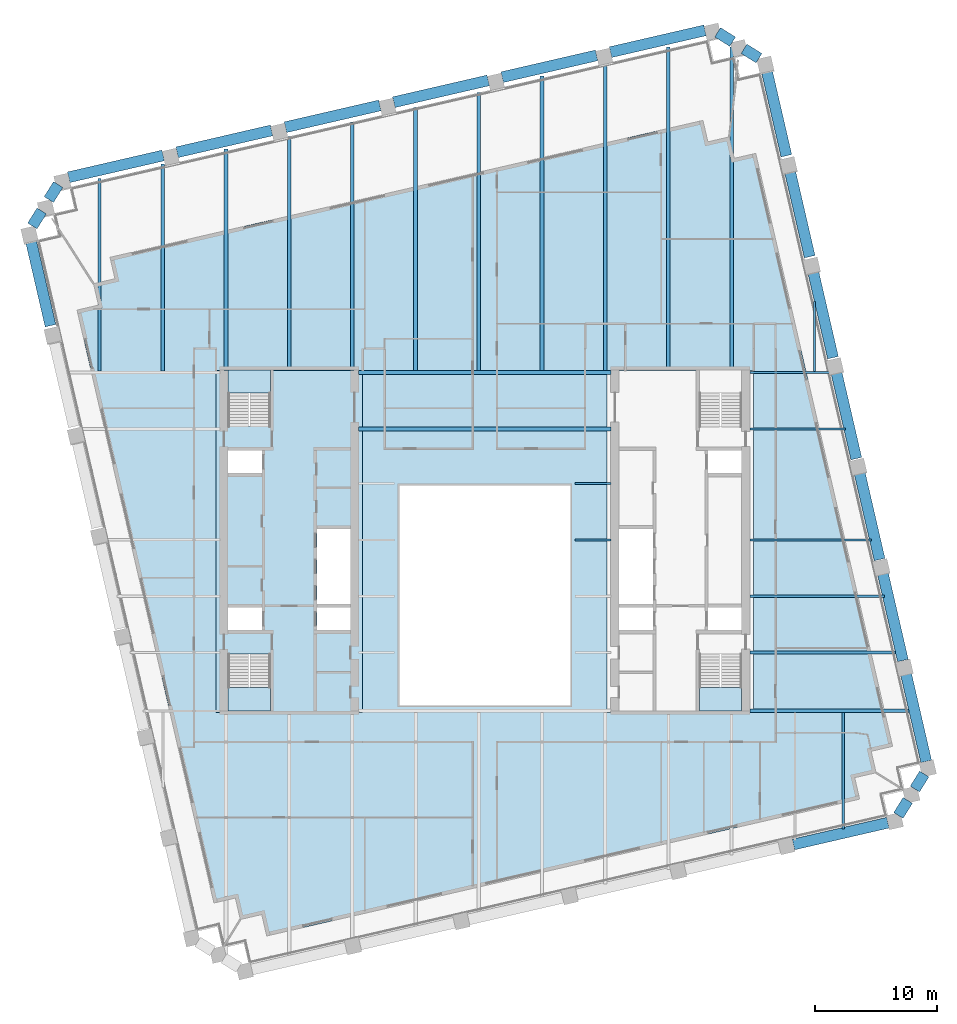
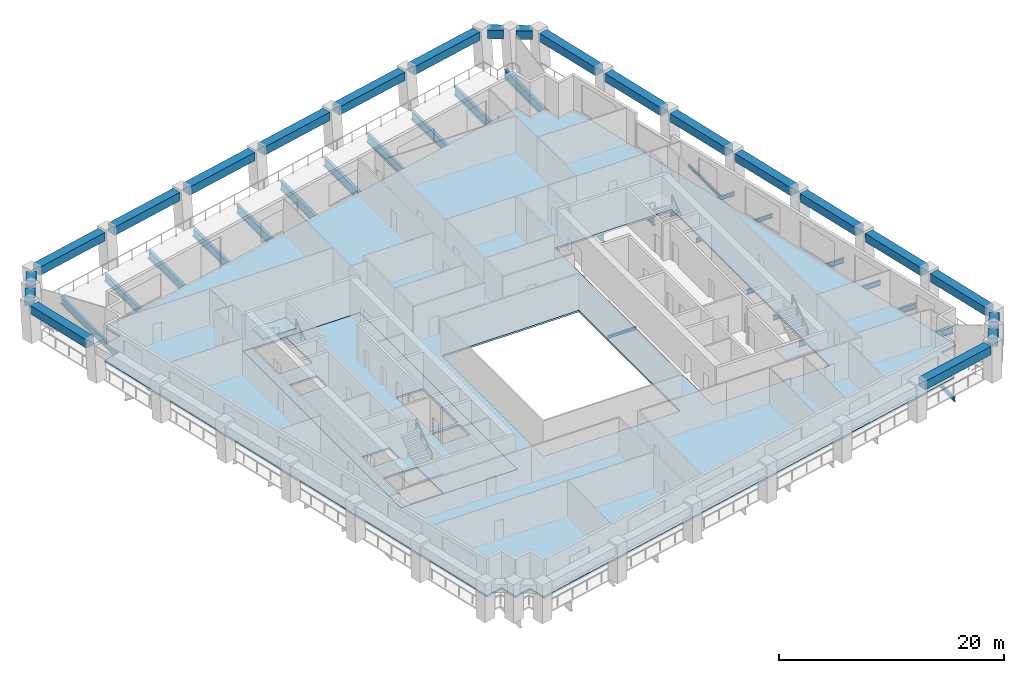
# One storey, part 2 of 11: 44 beams, 5 slabs, 3 elements without a shape of their own.
"""IFC4 building model written with IfcOpenShell, lengths in metres."""

from ifc_helpers import new_model, si_unit, direction, frame, origin, origin_2d, place, context, subcontext, project, spatial, polyline, rectangle, i_section, outline, extrude, material, layer, layer_set, material_profile, profile_set, type_object, element, aggregate, save


model = new_model("IFC4")

# Units and contexts
model_context = context("Model", 3, precision=1e-05, world=origin(), true_north=direction((0.0, 1.0)))
body_context = subcontext(model_context, "Body", "Model", "MODEL_VIEW")
ifc_project = project(units=[si_unit("LENGTHUNIT", "METRE"), si_unit("AREAUNIT", "SQUARE_METRE"), si_unit("VOLUMEUNIT", "CUBIC_METRE"), si_unit("PLANEANGLEUNIT", "RADIAN"), si_unit("MASSUNIT", "GRAM", prefix="KILO")], contexts=[model_context])

# Site, building, storey
site_placement = place(None, origin())
site = spatial("IfcSite", under=ifc_project, at=site_placement, CompositionType="ELEMENT")
building_placement = place(site_placement, origin())
building = spatial("IfcBuilding", under=site, at=building_placement, Name="Ogive Exchange Tower", CompositionType="ELEMENT")
storey_placement = place(building_placement, frame((0.0, 0.0, 217.800048828125)))
storey = spatial("IfcBuildingStorey", under=building, at=storey_placement, Name="L48", CompositionType="ELEMENT", Elevation=217.800048828125)

# Beams
ifc_material_1 = material(Name="Steel ASTM A992 Gr50", Category="steel")
ifc_material_profile_1 = material_profile(ifc_material_1, i_section(OverallWidth=0.300048828125, OverallDepth=0.969970703125, WebThickness=0.01611328125, FlangeThickness=0.02099609375, at=origin_2d()), Name="W1000x222")
ifc_profile_set_1 = profile_set([ifc_material_profile_1], Name="Steel ASTM A992 Gr50")
beam_type_1 = type_object("IfcBeamType", Name="Floor beam W1000x222", PredefinedType="JOIST", material=ifc_profile_set_1)
beam_1_placement = place(storey_placement, frame((-10.837158203125, 25.39990234375, -0.68505859375), z_axis=(0.0, 1.0, 0.0), x_axis=(-1.0, 0.0, 0.0)))
element("IfcBeam", 1, at=beam_1_placement, inside=storey, type_object=beam_type_1, Name="Floor beam", PredefinedType="JOIST", context=body_context, shape_type="SweptSolid", body=[
    extrude(i_section(OverallWidth=0.300048828125, OverallDepth=0.969970703125, WebThickness=0.01611328125, FlangeThickness=0.02099609375, at=origin_2d()), origin(), (0.0, 0.0, 1.0), 20.35107421875),
])
ifc_material_profile_2 = material_profile(ifc_material_1, i_section(OverallWidth=0.300048828125, OverallDepth=0.97998046875, WebThickness=0.0166015625, FlangeThickness=0.026123046875, at=origin_2d()), Name="W1000x249")
ifc_profile_set_2 = profile_set([ifc_material_profile_2], Name="Steel ASTM A992 Gr50")
beam_type_2 = type_object("IfcBeamType", Name="Floor beam W1000x249", PredefinedType="JOIST", material=ifc_profile_set_2)
beam_2_placement = place(storey_placement, frame((-10.320068359375, 20.62255859375, -0.68994140625), z_axis=(1.0, 0.0, 0.0), x_axis=(0.0, 1.0, 0.0)))
element("IfcBeam", 2, at=beam_2_placement, inside=storey, type_object=beam_type_2, Name="Floor beam", PredefinedType="JOIST", context=body_context, shape_type="SweptSolid", body=[
    extrude(i_section(OverallWidth=0.300048828125, OverallDepth=0.97998046875, WebThickness=0.0166015625, FlangeThickness=0.026123046875, at=origin_2d()), origin(), (0.0, 0.0, 1.0), 20.64013671875),
])
beam_3_placement = place(storey_placement, frame((-5.665283203125, 25.39501953125, -0.68994140625), z_axis=(0.0, 1.0, 0.0), x_axis=(-1.0, 0.0, 0.0)))
element("IfcBeam", 3, at=beam_3_placement, inside=storey, type_object=beam_type_2, Name="Floor beam", PredefinedType="JOIST", context=body_context, shape_type="SweptSolid", body=[
    extrude(i_section(OverallWidth=0.300048828125, OverallDepth=0.97998046875, WebThickness=0.0166015625, FlangeThickness=0.026123046875, at=origin_2d()), origin(), (0.0, 0.0, 1.0), 21.550048828125),
])
beam_4_placement = place(storey_placement, frame((-0.493408203125, 25.39501953125, -0.68994140625), z_axis=(0.0, 1.0, 0.0), x_axis=(-1.0, 0.0, 0.0)))
element("IfcBeam", 4, at=beam_4_placement, inside=storey, type_object=beam_type_2, Name="Floor beam", PredefinedType="JOIST", context=body_context, shape_type="SweptSolid", body=[
    extrude(i_section(OverallWidth=0.300048828125, OverallDepth=0.97998046875, WebThickness=0.0166015625, FlangeThickness=0.026123046875, at=origin_2d()), origin(), (0.0, 0.0, 1.0), 22.743896484375),
])
beam_5_placement = place(storey_placement, frame((4.678466796875, 25.39501953125, -0.68994140625), z_axis=(0.0, 1.0, 0.0), x_axis=(-1.0, 0.0, 0.0)))
element("IfcBeam", 5, at=beam_5_placement, inside=storey, type_object=beam_type_2, Name="Floor beam", PredefinedType="JOIST", context=body_context, shape_type="SweptSolid", body=[
    extrude(i_section(OverallWidth=0.300048828125, OverallDepth=0.97998046875, WebThickness=0.0166015625, FlangeThickness=0.026123046875, at=origin_2d()), origin(), (0.0, 0.0, 1.0), 24.087890625),
])
beam_6_placement = place(storey_placement, frame((9.850341796875, 25.39501953125, -0.68994140625), z_axis=(0.0, 1.0, 0.0), x_axis=(-1.0, 0.0, 0.0)))
element("IfcBeam", 6, at=beam_6_placement, inside=storey, type_object=beam_type_2, Name="Floor beam", PredefinedType="JOIST", context=body_context, shape_type="SweptSolid", body=[
    extrude(i_section(OverallWidth=0.300048828125, OverallDepth=0.97998046875, WebThickness=0.0166015625, FlangeThickness=0.026123046875, at=origin_2d()), origin(), (0.0, 0.0, 1.0), 25.132080078125),
])
beam_7_placement = place(storey_placement, frame((15.022216796875, 25.39990234375, -0.68994140625), z_axis=(0.0, 1.0, 0.0), x_axis=(-1.0, 0.0, 0.0)))
element("IfcBeam", 7, at=beam_7_placement, inside=storey, type_object=beam_type_2, Name="Floor beam", PredefinedType="JOIST", context=body_context, shape_type="SweptSolid", body=[
    extrude(i_section(OverallWidth=0.300048828125, OverallDepth=0.97998046875, WebThickness=0.0166015625, FlangeThickness=0.026123046875, at=origin_2d()), origin(), (0.0, 0.0, 1.0), 26.47119140625),
])
beam_8_placement = place(storey_placement, frame((20.194091796875, 25.39990234375, -0.68994140625), z_axis=(0.0, 1.0, 0.0), x_axis=(-1.0, 0.0, 0.0)))
element("IfcBeam", 8, at=beam_8_placement, inside=storey, type_object=beam_type_2, Name="Floor beam", PredefinedType="JOIST", context=body_context, shape_type="SweptSolid", body=[
    extrude(i_section(OverallWidth=0.300048828125, OverallDepth=0.97998046875, WebThickness=0.0166015625, FlangeThickness=0.026123046875, at=origin_2d()), origin(), (0.0, 0.0, 1.0), 26.45556640625),
])
ifc_material_profile_3 = material_profile(ifc_material_1, i_section(OverallWidth=0.1650390625, OverallDepth=0.31005859375, WebThickness=0.005859375, FlangeThickness=0.009765625, at=origin_2d()), Name="W310x38.7")
ifc_profile_set_3 = profile_set([ifc_material_profile_3], Name="Steel ASTM A992 Gr50")
beam_type_3 = type_object("IfcBeamType", Name="Floor beam W310x38.7", PredefinedType="JOIST", material=ifc_profile_set_3)
beam_9_placement = place(storey_placement, frame((7.3701171875, 11.543701171875, -0.35498046875), z_axis=(1.0, 0.0, 0.0), x_axis=(0.0, 1.0, 0.0)))
element("IfcBeam", 9, at=beam_9_placement, inside=storey, type_object=beam_type_3, Name="Floor beam", PredefinedType="JOIST", context=body_context, shape_type="SweptSolid", body=[
    extrude(i_section(OverallWidth=0.1650390625, OverallDepth=0.31005859375, WebThickness=0.005859375, FlangeThickness=0.009765625, at=origin_2d()), origin(), (0.0, 0.0, 1.0), 2.949951171875),
])
beam_10_placement = place(storey_placement, frame((26.9658203125, 25.333984375, -0.35498046875), z_axis=(0.0, 1.0, 0.0), x_axis=(-1.0, 0.0, 0.0)))
element("IfcBeam", 10, at=beam_10_placement, inside=storey, type_object=beam_type_3, Name="Floor beam", PredefinedType="JOIST", context=body_context, shape_type="SweptSolid", body=[
    extrude(i_section(OverallWidth=0.1650390625, OverallDepth=0.31005859375, WebThickness=0.005859375, FlangeThickness=0.009765625, at=origin_2d()), origin(), (0.0, 0.0, 1.0), 5.72705078125),
])
ifc_material_profile_4 = material_profile(ifc_material_1, i_section(OverallWidth=0.177978515625, OverallDepth=0.406005859375, WebThickness=0.0078125, FlangeThickness=0.0126953125, at=origin_2d()), Name="W410x60")
ifc_profile_set_4 = profile_set([ifc_material_profile_4], Name="Steel ASTM A992 Gr50")
beam_type_4 = type_object("IfcBeamType", Name="Floor beam W410x60", PredefinedType="JOIST", material=ifc_profile_set_4)
beam_11_placement = place(storey_placement, frame((21.679931640625, 20.62255859375, -0.403076171875), z_axis=(1.0, 0.0, 0.0), x_axis=(0.0, 1.0, 0.0)))
element("IfcBeam", 11, at=beam_11_placement, inside=storey, type_object=beam_type_4, Name="Floor beam", PredefinedType="JOIST", context=body_context, shape_type="SweptSolid", body=[
    extrude(i_section(OverallWidth=0.177978515625, OverallDepth=0.406005859375, WebThickness=0.0078125, FlangeThickness=0.0126953125, at=origin_2d()), origin(), (0.0, 0.0, 1.0), 7.845703125),
])
ifc_material_profile_5 = material_profile(ifc_material_1, i_section(OverallWidth=0.19091796875, OverallDepth=0.45703125, WebThickness=0.009033203125, FlangeThickness=0.014404296875, at=origin_2d()), Name="W460x74")
ifc_profile_set_5 = profile_set([ifc_material_profile_5], Name="Steel ASTM A992 Gr50")
beam_type_5 = type_object("IfcBeamType", Name="Floor beam W460x74", PredefinedType="JOIST", material=ifc_profile_set_5)
beam_12_placement = place(storey_placement, frame((29.337646484375, -12.127685546875, -0.428466796875), z_axis=(0.0, 1.0, 0.0), x_axis=(-1.0, 0.0, 0.0)))
element("IfcBeam", 12, at=beam_12_placement, inside=storey, type_object=beam_type_5, Name="Floor beam", PredefinedType="JOIST", context=body_context, shape_type="SweptSolid", body=[
    extrude(i_section(OverallWidth=0.19091796875, OverallDepth=0.45703125, WebThickness=0.009033203125, FlangeThickness=0.014404296875, at=origin_2d()), origin(), (0.0, 0.0, 1.0), 9.549072265625),
])
ifc_material_profile_6 = material_profile(ifc_material_1, i_section(OverallWidth=0.1669921875, OverallDepth=0.535888671875, WebThickness=0.01025390625, FlangeThickness=0.0166015625, at=origin_2d()), Name="W530x85")
ifc_profile_set_6 = profile_set([ifc_material_profile_6], Name="Steel ASTM A992 Gr50")
beam_type_6 = type_object("IfcBeamType", Name="Floor beam W530x85", PredefinedType="JOIST", material=ifc_profile_set_6)
beam_13_placement = place(storey_placement, frame((21.679931640625, 6.9326171875, -0.468017578125), z_axis=(1.0, 0.0, 0.0), x_axis=(0.0, 1.0, 0.0)))
element("IfcBeam", 13, at=beam_13_placement, inside=storey, type_object=beam_type_6, Name="Floor beam", PredefinedType="JOIST", context=body_context, shape_type="SweptSolid", body=[
    extrude(i_section(OverallWidth=0.1669921875, OverallDepth=0.535888671875, WebThickness=0.01025390625, FlangeThickness=0.0166015625, at=origin_2d()), origin(), (0.0, 0.0, 1.0), 11.00634765625),
])
beam_14_placement = place(storey_placement, frame((21.679931640625, 11.543701171875, -0.468017578125), z_axis=(1.0, 0.0, 0.0), x_axis=(0.0, 1.0, 0.0)))
element("IfcBeam", 14, at=beam_14_placement, inside=storey, type_object=beam_type_6, Name="Floor beam", PredefinedType="JOIST", context=body_context, shape_type="SweptSolid", body=[
    extrude(i_section(OverallWidth=0.1669921875, OverallDepth=0.535888671875, WebThickness=0.01025390625, FlangeThickness=0.0166015625, at=origin_2d()), origin(), (0.0, 0.0, 1.0), 9.941650390625),
])
ifc_material_profile_7 = material_profile(ifc_material_1, i_section(OverallWidth=0.22802734375, OverallDepth=0.60205078125, WebThickness=0.010498046875, FlangeThickness=0.014892578125, at=origin_2d()), Name="W610x101")
ifc_profile_set_7 = profile_set([ifc_material_profile_7], Name="Steel ASTM A992 Gr50")
beam_type_7 = type_object("IfcBeamType", Name="Floor beam W610x101", PredefinedType="JOIST", material=ifc_profile_set_7)
beam_15_placement = place(storey_placement, frame((21.679931640625, 2.3212890625, -0.5009765625), z_axis=(1.0, 0.0, 0.0), x_axis=(0.0, 1.0, 0.0)))
element("IfcBeam", 15, at=beam_15_placement, inside=storey, type_object=beam_type_7, Name="Floor beam", PredefinedType="JOIST", context=body_context, shape_type="SweptSolid", body=[
    extrude(i_section(OverallWidth=0.22802734375, OverallDepth=0.60205078125, WebThickness=0.010498046875, FlangeThickness=0.014892578125, at=origin_2d()), origin(), (0.0, 0.0, 1.0), 11.9208984375),
])
ifc_material_profile_8 = material_profile(ifc_material_1, i_section(OverallWidth=0.26708984375, OverallDepth=0.75390625, WebThickness=0.01318359375, FlangeThickness=0.01708984375, at=origin_2d()), Name="W760x147")
ifc_profile_set_8 = profile_set([ifc_material_profile_8], Name="Steel ASTM A992 Gr50")
beam_type_8 = type_object("IfcBeamType", Name="Floor beam W760x147", PredefinedType="JOIST", material=ifc_profile_set_8)
beam_16_placement = place(storey_placement, frame((-31.5244140625, 25.37841796875, -0.5771484375), z_axis=(0.0, 1.0, 0.0), x_axis=(-1.0, 0.0, 0.0)))
element("IfcBeam", 16, at=beam_16_placement, inside=storey, type_object=beam_type_8, Name="Floor beam", PredefinedType="JOIST", context=body_context, shape_type="SweptSolid", body=[
    extrude(i_section(OverallWidth=0.26708984375, OverallDepth=0.75390625, WebThickness=0.01318359375, FlangeThickness=0.01708984375, at=origin_2d()), origin(), (0.0, 0.0, 1.0), 15.74658203125),
])
ifc_material_profile_9 = material_profile(ifc_material_1, i_section(OverallWidth=0.2919921875, OverallDepth=0.8359375, WebThickness=0.013916015625, FlangeThickness=0.018798828125, at=origin_2d()), Name="W840x176")
ifc_profile_set_9 = profile_set([ifc_material_profile_9], Name="Steel ASTM A992 Gr50")
beam_type_9 = type_object("IfcBeamType", Name="Floor beam W840x176", PredefinedType="JOIST", material=ifc_profile_set_9)
beam_17_placement = place(storey_placement, frame((-26.3525390625, 25.37841796875, -0.6181640625), z_axis=(0.0, 1.0, 0.0), x_axis=(-1.0, 0.0, 0.0)))
element("IfcBeam", 17, at=beam_17_placement, inside=storey, type_object=beam_type_9, Name="Floor beam", PredefinedType="JOIST", context=body_context, shape_type="SweptSolid", body=[
    extrude(i_section(OverallWidth=0.2919921875, OverallDepth=0.8359375, WebThickness=0.013916015625, FlangeThickness=0.018798828125, at=origin_2d()), origin(), (0.0, 0.0, 1.0), 16.9404296875),
])
ifc_material_profile_10 = material_profile(ifc_material_1, i_section(OverallWidth=0.304931640625, OverallDepth=0.904052734375, WebThickness=0.01513671875, FlangeThickness=0.02001953125, at=origin_2d()), Name="W920x201")
ifc_profile_set_10 = profile_set([ifc_material_profile_10], Name="Steel ASTM A992 Gr50")
beam_type_10 = type_object("IfcBeamType", Name="Floor beam W920x201", PredefinedType="JOIST", material=ifc_profile_set_10)
beam_18_placement = place(storey_placement, frame((-21.1806640625, 25.39990234375, -0.652099609375), z_axis=(0.0, 1.0, 0.0), x_axis=(-1.0, 0.0, 0.0)))
element("IfcBeam", 18, at=beam_18_placement, inside=storey, type_object=beam_type_10, Name="Floor beam", PredefinedType="JOIST", context=body_context, shape_type="SweptSolid", body=[
    extrude(i_section(OverallWidth=0.304931640625, OverallDepth=0.904052734375, WebThickness=0.01513671875, FlangeThickness=0.02001953125, at=origin_2d()), origin(), (0.0, 0.0, 1.0), 18.113037109375),
])
ifc_material_profile_11 = material_profile(ifc_material_1, i_section(OverallWidth=0.304931640625, OverallDepth=0.9189453125, WebThickness=0.017333984375, FlangeThickness=0.02783203125, at=origin_2d()), Name="W920x253")
ifc_profile_set_11 = profile_set([ifc_material_profile_11], Name="Steel ASTM A992 Gr50")
beam_type_11 = type_object("IfcBeamType", Name="Floor beam W920x253", PredefinedType="JOIST", material=ifc_profile_set_11)
beam_19_placement = place(storey_placement, frame((-16.0087890625, 25.39990234375, -0.65966796875), z_axis=(0.0, 1.0, 0.0), x_axis=(-1.0, 0.0, 0.0)))
element("IfcBeam", 19, at=beam_19_placement, inside=storey, type_object=beam_type_11, Name="Floor beam", PredefinedType="JOIST", context=body_context, shape_type="SweptSolid", body=[
    extrude(i_section(OverallWidth=0.304931640625, OverallDepth=0.9189453125, WebThickness=0.017333984375, FlangeThickness=0.02783203125, at=origin_2d()), origin(), (0.0, 0.0, 1.0), 19.156982421875),
])
ifc_material_profile_12 = material_profile(ifc_material_1, i_section(OverallWidth=0.300048828125, OverallDepth=0.97998046875, WebThickness=0.0166015625, FlangeThickness=0.026123046875, at=origin_2d()), Name="W1000x249")
ifc_profile_set_12 = profile_set([ifc_material_profile_12], Name="Steel ASTM A992 Gr50")
beam_type_12 = type_object("IfcBeamType", Name="Girder W1000x249", PredefinedType="BEAM", material=ifc_profile_set_12)
beam_20_placement = place(storey_placement, frame((-10.320068359375, 25.2451171875, -0.68994140625), z_axis=(1.0, 0.0, 0.0), x_axis=(0.0, 1.0, 0.0)))
element("IfcBeam", 20, at=beam_20_placement, inside=storey, type_object=beam_type_12, Name="Header girder", PredefinedType="BEAM", context=body_context, shape_type="SweptSolid", body=[
    extrude(i_section(OverallWidth=0.300048828125, OverallDepth=0.97998046875, WebThickness=0.0166015625, FlangeThickness=0.026123046875, at=origin_2d()), origin(), (0.0, 0.0, 1.0), 20.64013671875),
])
ifc_material_profile_13 = material_profile(ifc_material_1, i_section(OverallWidth=0.1650390625, OverallDepth=0.31005859375, WebThickness=0.005859375, FlangeThickness=0.009765625, at=origin_2d()), Name="W310x38.7")
ifc_profile_set_13 = profile_set([ifc_material_profile_13], Name="Steel ASTM A992 Gr50")
beam_type_13 = type_object("IfcBeamType", Name="Girder W310x38.7", PredefinedType="BEAM", material=ifc_profile_set_13)
beam_21_placement = place(storey_placement, frame((7.3701171875, 16.155029296875, -0.35498046875), z_axis=(1.0, 0.0, 0.0), x_axis=(0.0, 1.0, 0.0)))
element("IfcBeam", 21, at=beam_21_placement, inside=storey, type_object=beam_type_13, Name="Trimmer girder", PredefinedType="BEAM", context=body_context, shape_type="SweptSolid", body=[
    extrude(i_section(OverallWidth=0.1650390625, OverallDepth=0.31005859375, WebThickness=0.005859375, FlangeThickness=0.009765625, at=origin_2d()), origin(), (0.0, 0.0, 1.0), 2.949951171875),
])
ifc_material_profile_14 = material_profile(ifc_material_1, i_section(OverallWidth=0.177978515625, OverallDepth=0.406005859375, WebThickness=0.0078125, FlangeThickness=0.0126953125, at=origin_2d()), Name="W410x60")
ifc_profile_set_14 = profile_set([ifc_material_profile_14], Name="Steel ASTM A992 Gr50")
beam_type_14 = type_object("IfcBeamType", Name="Girder W410x60", PredefinedType="BEAM", material=ifc_profile_set_14)
beam_22_placement = place(storey_placement, frame((21.679931640625, 25.2451171875, -0.403076171875), z_axis=(1.0, 0.0, 0.0), x_axis=(0.0, 1.0, 0.0)))
element("IfcBeam", 22, at=beam_22_placement, inside=storey, type_object=beam_type_14, Name="Header girder", PredefinedType="BEAM", context=body_context, shape_type="SweptSolid", body=[
    extrude(i_section(OverallWidth=0.177978515625, OverallDepth=0.406005859375, WebThickness=0.0078125, FlangeThickness=0.0126953125, at=origin_2d()), origin(), (0.0, 0.0, 1.0), 6.628662109375),
])
ifc_material_profile_15 = material_profile(ifc_material_1, i_section(OverallWidth=0.26708984375, OverallDepth=0.75390625, WebThickness=0.01318359375, FlangeThickness=0.01708984375, at=origin_2d()), Name="W760x147")
ifc_profile_set_15 = profile_set([ifc_material_profile_15], Name="Steel ASTM A992 Gr50")
beam_type_15 = type_object("IfcBeamType", Name="Girder W760x147", PredefinedType="BEAM", material=ifc_profile_set_15)
beam_23_placement = place(storey_placement, frame((21.679931640625, -2.445068359375, -0.5771484375), z_axis=(1.0, 0.0, 0.0), x_axis=(0.0, 1.0, 0.0)))
element("IfcBeam", 23, at=beam_23_placement, inside=storey, type_object=beam_type_15, Name="Header girder", PredefinedType="BEAM", context=body_context, shape_type="SweptSolid", body=[
    extrude(i_section(OverallWidth=0.26708984375, OverallDepth=0.75390625, WebThickness=0.01318359375, FlangeThickness=0.01708984375, at=origin_2d()), origin(), (0.0, 0.0, 1.0), 13.021484375),
])
ifc_material_2 = material(Name="Precast concrete C70/85 (limestone faced)", Category="masonry")
ifc_material_profile_16 = material_profile(ifc_material_2, rectangle(XDim=0.89990234375, YDim=0.89990234375, at=origin_2d()), Name="900 x 900")
ifc_profile_set_16 = profile_set([ifc_material_profile_16], Name="Precast concrete C70/85 (limestone faced)")
beam_type_16 = type_object("IfcBeamType", Name="Precast spandrel 900 x 900 C70/85", PredefinedType="SPANDREL", material=ifc_profile_set_16)
beam_24_placement = place(storey_placement, frame((25.249755859375, -13.383544921875, 3.5), z_axis=(0.974368388194, 0.224958316335, 0.0), x_axis=(-0.224958316335, 0.974368388194, 0.0)))
element("IfcBeam", 24, at=beam_24_placement, inside=storey, type_object=beam_type_16, Name="Spandrel 6", PredefinedType="SPANDREL", context=body_context, shape_type="SweptSolid", body=[
    extrude(rectangle(XDim=0.89990234375, YDim=0.89990234375, at=origin_2d()), origin(), (0.0, 0.0, 1.0), 7.93994140625),
])
for number, where, z_axis, x_axis, name in (
    (25, (33.842041015625, -11.001708984375, 3.5), (0.529877740036, 0.848074041941, 0.0), (-0.848074041941, 0.529877740036, 0.0), "Spandrel 7"),
    (26, (35.19091796875, -8.843017578125, 3.5), (0.529877740036, 0.848074041941, 0.0), (-0.848074041941, 0.529877740036, 0.0), "Spandrel 8"),
):
    element("IfcBeam", number, at=place(storey_placement, frame(where, z_axis=z_axis, x_axis=x_axis)), inside=storey, type_object=beam_type_16, Name=name, PredefinedType="SPANDREL", context=body_context, shape_type="SweptSolid", body=[
        extrude(rectangle(XDim=0.89990234375, YDim=0.89990234375, at=origin_2d()), origin(), (0.0, 0.0, 1.0), 1.448486328125),
    ])
for number, where, z_axis, x_axis, name in (
    (27, (36.11865234375, -6.584228515625, 3.5), (-0.224949667351, 0.974370384997, 0.0), (-0.974370384997, -0.224949667351, 0.0), "Spandrel 9"),
    (28, (34.2119140625, 1.675537109375, 3.5), (-0.224949667351, 0.974370384997, 0.0), (-0.974370384997, -0.224949667351, 0.0), "Spandrel 10"),
    (29, (32.304931640625, 9.935302734375, 3.5), (-0.224949667351, 0.974370384997, 0.0), (-0.974370384997, -0.224949667351, 0.0), "Spandrel 11"),
):
    element("IfcBeam", number, at=place(storey_placement, frame(where, z_axis=z_axis, x_axis=x_axis)), inside=storey, type_object=beam_type_16, Name=name, PredefinedType="SPANDREL", context=body_context, shape_type="SweptSolid", body=[
        extrude(rectangle(XDim=0.89990234375, YDim=0.89990234375, at=origin_2d()), origin(), (0.0, 0.0, 1.0), 7.317138671875),
    ])
beam_25_placement = place(storey_placement, frame((30.39794921875, 18.1953125, 3.5), z_axis=(-0.224956980759, 0.974368696546, 0.0), x_axis=(-0.974368696546, -0.224956980759, 0.0)))
element("IfcBeam", 30, at=beam_25_placement, inside=storey, type_object=beam_type_16, Name="Spandrel 12", PredefinedType="SPANDREL", context=body_context, shape_type="SweptSolid", body=[
    extrude(rectangle(XDim=0.89990234375, YDim=0.89990234375, at=origin_2d()), origin(), (0.0, 0.0, 1.0), 7.31689453125),
])
for number, where, z_axis, x_axis, name in (
    (31, (28.490966796875, 26.455078125, 3.5), (-0.224949667351, 0.974370384997, 0.0), (-0.974370384997, -0.224949667351, 0.0), "Spandrel 13"),
    (32, (26.583984375, 34.71484375, 3.5), (-0.224949667351, 0.974370384997, 0.0), (-0.974370384997, -0.224949667351, 0.0), "Spandrel 14"),
    (33, (24.67724609375, 42.974609375, 3.5), (-0.224949667351, 0.974370384997, 0.0), (-0.974370384997, -0.224949667351, 0.0), "Spandrel 15"),
):
    element("IfcBeam", number, at=place(storey_placement, frame(where, z_axis=z_axis, x_axis=x_axis)), inside=storey, type_object=beam_type_16, Name=name, PredefinedType="SPANDREL", context=body_context, shape_type="SweptSolid", body=[
        extrude(rectangle(XDim=0.89990234375, YDim=0.89990234375, at=origin_2d()), origin(), (0.0, 0.0, 1.0), 7.317138671875),
    ])
for number, where, z_axis, x_axis, name in (
    (34, (22.435546875, 50.9599609375, 3.5), (-0.848074041941, 0.529877740036, 0.0), (-0.529877740036, -0.848074041941, 0.0), "Spandrel 16"),
    (35, (20.27685546875, 52.308837890625, 3.5), (-0.848074041941, 0.529877740036, 0.0), (-0.529877740036, -0.848074041941, 0.0), "Spandrel 17"),
):
    element("IfcBeam", number, at=place(storey_placement, frame(where, z_axis=z_axis, x_axis=x_axis)), inside=storey, type_object=beam_type_16, Name=name, PredefinedType="SPANDREL", context=body_context, shape_type="SweptSolid", body=[
        extrude(rectangle(XDim=0.89990234375, YDim=0.89990234375, at=origin_2d()), origin(), (0.0, 0.0, 1.0), 1.448486328125),
    ])
for number, where, z_axis, x_axis, name in (
    (36, (18.01806640625, 53.23681640625, 3.5), (-0.974369944206, -0.224951576629, 0.0), (0.224951576629, -0.974369944206, 0.0), "Spandrel 18"),
    (37, (9.1513671875, 51.189697265625, 3.5), (-0.974369944206, -0.224951576629, 0.0), (0.224951576629, -0.974369944206, 0.0), "Spandrel 19"),
):
    element("IfcBeam", number, at=place(storey_placement, frame(where, z_axis=z_axis, x_axis=x_axis)), inside=storey, type_object=beam_type_16, Name=name, PredefinedType="SPANDREL", context=body_context, shape_type="SweptSolid", body=[
        extrude(rectangle(XDim=0.89990234375, YDim=0.89990234375, at=origin_2d()), origin(), (0.0, 0.0, 1.0), 7.940185546875),
    ])
beam_26_placement = place(storey_placement, frame((0.284423828125, 49.142578125, 3.5), z_axis=(-0.974368388194, -0.224958316335, 0.0), x_axis=(0.224958316335, -0.974368388194, 0.0)))
element("IfcBeam", 38, at=beam_26_placement, inside=storey, type_object=beam_type_16, Name="Spandrel 20", PredefinedType="SPANDREL", context=body_context, shape_type="SweptSolid", body=[
    extrude(rectangle(XDim=0.89990234375, YDim=0.89990234375, at=origin_2d()), origin(), (0.0, 0.0, 1.0), 7.93994140625),
])
for number, where, z_axis, x_axis, name in (
    (39, (-8.582275390625, 47.095703125, 3.5), (-0.974369944206, -0.224951576629, 0.0), (0.224951576629, -0.974369944206, 0.0), "Spandrel 21"),
    (40, (-17.448974609375, 45.048583984375, 3.5), (-0.974369944206, -0.224951576629, 0.0), (0.224951576629, -0.974369944206, 0.0), "Spandrel 22"),
):
    element("IfcBeam", number, at=place(storey_placement, frame(where, z_axis=z_axis, x_axis=x_axis)), inside=storey, type_object=beam_type_16, Name=name, PredefinedType="SPANDREL", context=body_context, shape_type="SweptSolid", body=[
        extrude(rectangle(XDim=0.89990234375, YDim=0.89990234375, at=origin_2d()), origin(), (0.0, 0.0, 1.0), 7.940185546875),
    ])
beam_27_placement = place(storey_placement, frame((-26.31591796875, 43.00146484375, 3.5), z_axis=(-0.974368388194, -0.224958316335, 0.0), x_axis=(0.224958316335, -0.974368388194, 0.0)))
element("IfcBeam", 41, at=beam_27_placement, inside=storey, type_object=beam_type_16, Name="Spandrel 23", PredefinedType="SPANDREL", context=body_context, shape_type="SweptSolid", body=[
    extrude(rectangle(XDim=0.89990234375, YDim=0.89990234375, at=origin_2d()), origin(), (0.0, 0.0, 1.0), 7.93994140625),
])
for number, where, z_axis, x_axis, name in (
    (42, (-34.908203125, 40.61962890625, 3.5), (-0.529953484787, -0.848026711821, 0.0), (0.848026711821, -0.529953484787, 0.0), "Spandrel 24"),
    (43, (-36.257080078125, 38.4609375, 3.5), (-0.529877740036, -0.848074041941, 0.0), (0.848074041941, -0.529877740036, 0.0), "Spandrel 25"),
):
    element("IfcBeam", number, at=place(storey_placement, frame(where, z_axis=z_axis, x_axis=x_axis)), inside=storey, type_object=beam_type_16, Name=name, PredefinedType="SPANDREL", context=body_context, shape_type="SweptSolid", body=[
        extrude(rectangle(XDim=0.89990234375, YDim=0.89990234375, at=origin_2d()), origin(), (0.0, 0.0, 1.0), 1.448486328125),
    ])
beam_28_placement = place(storey_placement, frame((-37.184814453125, 36.2021484375, 3.5), z_axis=(0.224956980759, -0.974368696546, 0.0), x_axis=(0.974368696546, 0.224956980759, 0.0)))
element("IfcBeam", 44, at=beam_28_placement, inside=storey, type_object=beam_type_16, Name="Spandrel 26", PredefinedType="SPANDREL", context=body_context, shape_type="SweptSolid", body=[
    extrude(rectangle(XDim=0.89990234375, YDim=0.89990234375, at=origin_2d()), origin(), (0.0, 0.0, 1.0), 7.31689453125),
])

# Slabs
ifc_material_3 = material(Name="Concrete C50/60", Category="concrete")
ifc_layer_1 = layer(ifc_material_3, 0.199951171875)
ifc_layer_set_1 = layer_set([ifc_layer_1], Name="Composite floor slab 200")
slab_type_1 = type_object("IfcSlabType", Name="Composite floor slab 200", PredefinedType="FLOOR", material=ifc_layer_set_1)
slab_1_placement = place(storey_placement, frame((0.0, 0.0, -0.199951171875)))
element("IfcSlab", 45, at=slab_1_placement, inside=storey, type_object=slab_type_1, Name="Composite floor slab", PredefinedType="FLOOR", context=body_context, shape_type="SweptSolid", body=[
    extrude(outline(polyline([(-18.255615234375, -19.116943359375), (-20.009521484375, -19.52197265625), (-20.414306640625, -17.76806640625), (-22.168212890625, -18.1728515625), (-33.370849609375, 30.3505859375), (-31.616943359375, 30.755615234375), (-32.02197265625, 32.509521484375), (-30.26806640625, 32.914306640625), (-30.6728515625, 34.668212890625), (17.8505859375, 45.870849609375), (18.255615234375, 44.116943359375), (20.009521484375, 44.52197265625), (20.414306640625, 42.76806640625), (22.168212890625, 43.1728515625), (33.370849609375, -5.3505859375), (31.616943359375, -5.755615234375), (32.02197265625, -7.509521484375), (30.26806640625, -7.914306640625), (30.6728515625, -9.668212890625), (-17.8505859375, -20.870849609375), (-18.255615234375, -19.116943359375)]), holes=[polyline([(7.0, -2.0), (7.0, 16.0), (-7.0, 16.0), (-7.0, -2.0), (7.0, -2.0)]), polyline([(-22.0, -2.60009765625), (-10.0, -2.60009765625), (-10.0, 25.39990234375), (-22.0, 25.39990234375), (-22.0, -2.60009765625)]), polyline([(10.0, -2.60009765625), (22.0, -2.60009765625), (22.0, 25.39990234375), (10.0, 25.39990234375), (10.0, -2.60009765625)])]), origin(), (0.0, 0.0, 1.0), 0.199951171875),
])
ifc_material_4 = material(Name="Concrete C70/85", Category="concrete")
ifc_layer_2 = layer(ifc_material_4, 0.199951171875)
ifc_layer_set_2 = layer_set([ifc_layer_2], Name="Core floor slab 200")
slab_type_2 = type_object("IfcSlabType", Name="Core floor slab 200", PredefinedType="FLOOR", material=ifc_layer_set_2)
slab_2_placement = place(storey_placement, frame((0.0, 0.0, -0.199951171875)))
element("IfcSlab", 46, at=slab_2_placement, inside=storey, type_object=slab_type_2, Name="Core floor slab", PredefinedType="FLOOR", context=body_context, shape_type="SweptSolid", body=[
    extrude(outline(polyline([(-10.0, 25.39990234375), (-10.0, -2.60009765625), (-22.0, -2.60009765625), (-22.0, 25.39990234375), (-21.0, 25.39990234375), (-21.0, 20.803955078125), (-17.550048828125, 20.803955078125), (-17.550048828125, 25.39990234375), (-10.0, 25.39990234375)]), holes=[polyline([(-17.550048828125, 2.196044921875), (-21.0, 2.196044921875), (-21.0, -2.449951171875), (-17.550048828125, -2.449951171875), (-17.550048828125, 2.196044921875)]), polyline([(-18.25, 5.992919921875), (-21.0, 5.992919921875), (-21.0, 4.14990234375), (-18.25, 4.14990234375), (-18.25, 5.992919921875)]), polyline([(-11.0, 5.992919921875), (-13.75, 5.992919921875), (-13.75, 4.14990234375), (-11.0, 4.14990234375), (-11.0, 5.992919921875)]), polyline([(-13.75, 12.42138671875), (-13.75, 6.29296875), (-11.0, 6.29296875), (-11.0, 12.42138671875), (-13.75, 12.42138671875)]), polyline([(-18.25, 18.85009765625), (-21.0, 18.85009765625), (-21.0, 17.007080078125), (-18.25, 17.007080078125), (-18.25, 18.85009765625)])]), origin(), (0.0, 0.0, 1.0), 0.199951171875),
])

# Stair, slab
ifc_material_5 = material(Name="Concrete C40/50", Category="concrete")
stair_type = type_object("IfcStairType", Name="Exit stair 1650 wide", PredefinedType="HALF_TURN_STAIR", material=ifc_material_5)
stair_1_placement = place(storey_placement, origin())
stair_1 = element("IfcStair", 47, at=stair_1_placement, inside=storey, type_object=stair_type, Name="L48 exit stair ST1", PredefinedType="HALF_TURN_STAIR")
ifc_layer_3 = layer(ifc_material_5, 0.199951171875)
ifc_layer_set_3 = layer_set([ifc_layer_3], Name="Stair landing 200 slab")
slab_type_3 = type_object("IfcSlabType", Name="Stair landing 200 slab", PredefinedType="LANDING", material=ifc_layer_set_3)
slab_3_placement = place(storey_placement, frame((0.0, 0.0, 1.89990234375)))
slab_3 = element("IfcSlab", 48, at=slab_3_placement, type_object=slab_type_3, Name="ST1 landing 1", PredefinedType="LANDING", context=body_context, shape_type="SweptSolid", body=[
    extrude(outline(polyline([(-21.0, -0.550048828125), (-21.0, -2.449951171875), (-17.550048828125, -2.449951171875), (-17.550048828125, -0.550048828125), (-21.0, -0.550048828125)])), origin(), (0.0, 0.0, 1.0), 0.199951171875),
])
aggregate(stair_1, [slab_3])

stair_2_placement = place(storey_placement, origin())
stair_2 = element("IfcStair", 49, at=stair_2_placement, inside=storey, type_object=stair_type, Name="L48 exit stair ST2", PredefinedType="HALF_TURN_STAIR")
slab_4_placement = place(storey_placement, frame((0.0, 0.0, 1.89990234375)))
slab_4 = element("IfcSlab", 50, at=slab_4_placement, type_object=slab_type_3, Name="ST2 landing 1", PredefinedType="LANDING", context=body_context, shape_type="SweptSolid", body=[
    extrude(outline(polyline([(-17.550048828125, 23.550048828125), (-17.550048828125, 25.449951171875), (-21.0, 25.449951171875), (-21.0, 23.550048828125), (-17.550048828125, 23.550048828125)])), origin(), (0.0, 0.0, 1.0), 0.199951171875),
])
aggregate(stair_2, [slab_4])

stair_3_placement = place(storey_placement, origin())
stair_3 = element("IfcStair", 51, at=stair_3_placement, inside=storey, type_object=stair_type, Name="L48 exit stair ST3", PredefinedType="HALF_TURN_STAIR")
slab_5_placement = place(storey_placement, frame((0.0, 0.0, 1.89990234375)))
slab_5 = element("IfcSlab", 52, at=slab_5_placement, type_object=slab_type_3, Name="ST3 landing 1", PredefinedType="LANDING", context=body_context, shape_type="SweptSolid", body=[
    extrude(outline(polyline([(17.550048828125, -0.550048828125), (17.550048828125, -2.449951171875), (21.0, -2.449951171875), (21.0, -0.550048828125), (17.550048828125, -0.550048828125)])), origin(), (0.0, 0.0, 1.0), 0.199951171875),
])
aggregate(stair_3, [slab_5])

save(model, "model.ifc")
